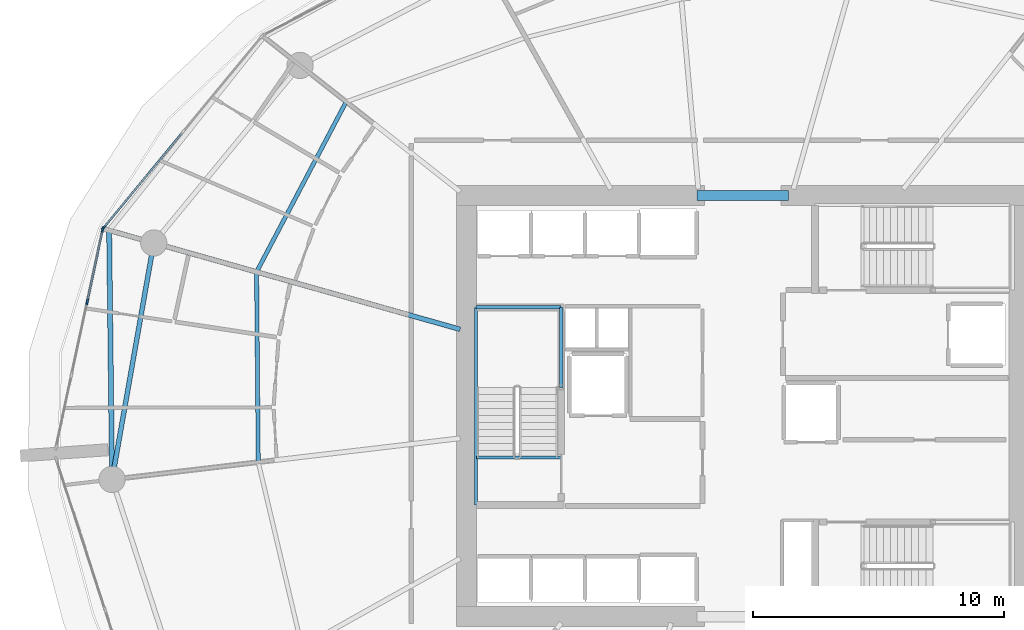
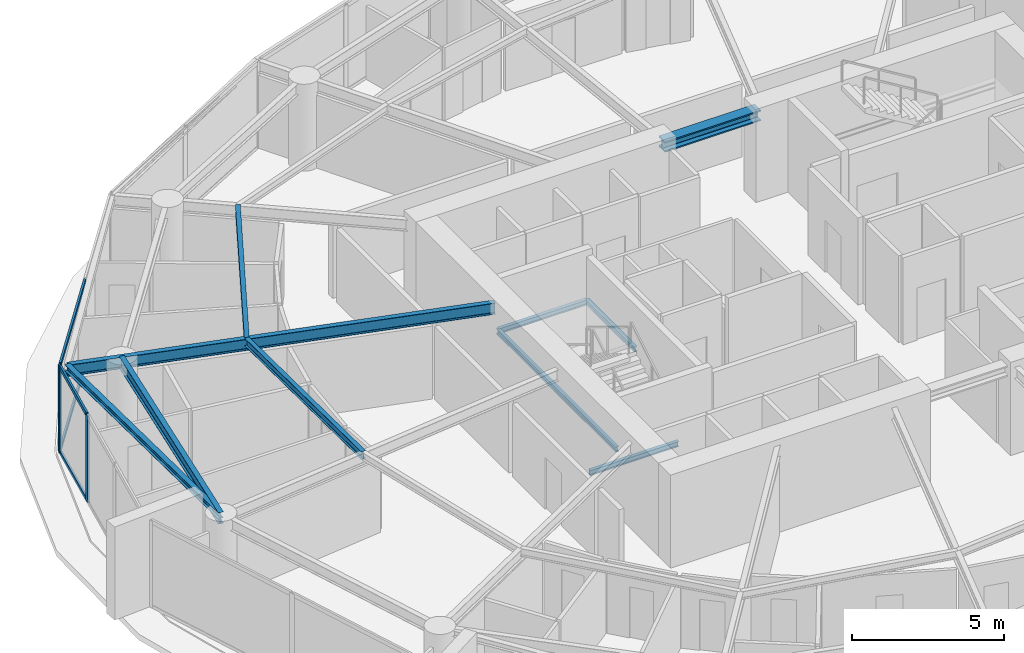
# One storey, part 6 of 17: 10 beams, 7 members, 2 elements without a shape of their own.
"""IFC4 building model written with IfcOpenShell, lengths in metres."""

from ifc_helpers import new_model, si_unit, direction, frame, origin, origin_2d, place, context, subcontext, project, spatial, rectangle, i_section, extrude, material, layer, layer_set, material_profile, profile_set, type_object, element, aggregate, save


model = new_model("IFC4")

# Units and contexts
model_context = context("Model", 3, precision=1e-05, world=origin(), true_north=direction((0.0, 1.0)))
body_context = subcontext(model_context, "Body", "Model", "MODEL_VIEW")
ifc_project = project(units=[si_unit("LENGTHUNIT", "METRE"), si_unit("AREAUNIT", "SQUARE_METRE"), si_unit("VOLUMEUNIT", "CUBIC_METRE"), si_unit("PLANEANGLEUNIT", "RADIAN"), si_unit("MASSUNIT", "GRAM", prefix="KILO")], contexts=[model_context])

# Site, building, storey
site_placement = place(None, origin())
site = spatial("IfcSite", under=ifc_project, at=site_placement, CompositionType="ELEMENT")
building_placement = place(site_placement, origin())
building = spatial("IfcBuilding", under=site, at=building_placement, Name="Kazma Halo Residences", CompositionType="ELEMENT")
storey_placement = place(building_placement, frame((0.0, 0.0, 127.800048828125)))
storey = spatial("IfcBuildingStorey", under=building, at=storey_placement, Name="L31", CompositionType="ELEMENT", Elevation=127.800048828125)

# Beams
ifc_material_1 = material(Name="Steel S355", Category="steel")
ifc_material_profile_1 = material_profile(ifc_material_1, i_section(OverallWidth=0.201904296875, OverallDepth=0.2470703125, WebThickness=0.00732421875, FlangeThickness=0.010986328125, FilletRadius=0.011962890625, at=origin_2d()), Name="W250x49.1")
ifc_profile_set_1 = profile_set([ifc_material_profile_1], Name="Steel S355")
beam_type_1 = type_object("IfcBeamType", Name="BM-BAL-CANT", PredefinedType="BEAM", material=ifc_profile_set_1)
beam_1_placement = place(storey_placement, frame((23.149658203125, 49.008544921875, 3.37646484375), z_axis=(0.011793371143, -0.99993045578, 0.0), x_axis=(0.99993045578, 0.011793371143, 0.0)))
element("IfcBeam", 1, at=beam_1_placement, inside=storey, type_object=beam_type_1, Name="L31 wave-balcony tie beam 07", PredefinedType="BEAM", context=body_context, shape_type="SweptSolid", body=[
    extrude(i_section(OverallWidth=0.201904296875, OverallDepth=0.2470703125, WebThickness=0.00732421875, FlangeThickness=0.010986328125, FilletRadius=0.011962890625, at=origin_2d()), origin(), (0.0, 0.0, 1.0), 9.936767578125),
])
ifc_material_profile_2 = material_profile(ifc_material_1, i_section(OverallWidth=0.408935546875, OverallDepth=0.425048828125, WebThickness=0.03271484375, FlangeThickness=0.052490234375, FilletRadius=0.02001953125, at=origin_2d()), Name="W360x421")
ifc_profile_set_2 = profile_set([ifc_material_profile_2], Name="Steel S355")
beam_type_2 = type_object("IfcBeamType", Name="BM-CORE-W360H", PredefinedType="BEAM", material=ifc_profile_set_2)
beam_2_placement = place(storey_placement, frame((46.60009765625, 50.39990234375, 3.287353515625), z_axis=(1.0, 0.0, 0.0), x_axis=(0.0, 1.0, 0.0)))
element("IfcBeam", 2, at=beam_2_placement, inside=storey, type_object=beam_type_2, Name="L31 core coupling beam N", PredefinedType="BEAM", context=body_context, shape_type="SweptSolid", body=[
    extrude(i_section(OverallWidth=0.408935546875, OverallDepth=0.425048828125, WebThickness=0.03271484375, FlangeThickness=0.052490234375, FilletRadius=0.02001953125, at=origin_2d()), origin(), (0.0, 0.0, 1.0), 3.64990234375),
])
ifc_material_profile_3 = material_profile(ifc_material_1, i_section(OverallWidth=0.18994140625, OverallDepth=0.45703125, WebThickness=0.009033203125, FlangeThickness=0.014404296875, FilletRadius=0.01611328125, at=origin_2d()), Name="W460x74")
ifc_profile_set_3 = profile_set([ifc_material_profile_3], Name="Steel S355")
beam_type_3 = type_object("IfcBeamType", Name="BM-RAD-W460", PredefinedType="BEAM", material=ifc_profile_set_3)
beam_3_placement = place(storey_placement, frame((37.14990234375, 45.06005859375, 3.271484375), z_axis=(-0.962455072712, 0.271441030447, 0.0), x_axis=(-0.271441030447, -0.962455072712, 0.0)))
element("IfcBeam", 3, at=beam_3_placement, inside=storey, type_object=beam_type_3, Name="L31 radial floor beam 07", PredefinedType="BEAM", context=body_context, shape_type="SweptSolid", body=[
    extrude(i_section(OverallWidth=0.18994140625, OverallDepth=0.45703125, WebThickness=0.009033203125, FlangeThickness=0.014404296875, FilletRadius=0.01611328125, at=origin_2d()), origin(), (0.0, 0.0, 1.0), 14.54638671875),
])
ifc_material_profile_4 = material_profile(ifc_material_1, i_section(OverallWidth=0.1650390625, OverallDepth=0.31005859375, WebThickness=0.005859375, FlangeThickness=0.009765625, FilletRadius=0.011962890625, at=origin_2d()), Name="W310x38.7")
ifc_profile_set_4 = profile_set([ifc_material_profile_4], Name="Steel S355")
beam_type_4 = type_object("IfcBeamType", Name="BM-SEC-W310B", PredefinedType="JOIST", material=ifc_profile_set_4)
beam_4_placement = place(storey_placement, frame((32.6044921875, 54.136962890625, 3.344970703125), z_axis=(-0.466019257875, -0.884774576539, 0.0), x_axis=(0.884774576539, -0.466019257875, 0.0)))
element("IfcBeam", 4, at=beam_4_placement, inside=storey, type_object=beam_type_4, Name="L31 circumferential floor joist 06", PredefinedType="JOIST", context=body_context, shape_type="SweptSolid", body=[
    extrude(i_section(OverallWidth=0.1650390625, OverallDepth=0.31005859375, WebThickness=0.005859375, FlangeThickness=0.009765625, FilletRadius=0.011962890625, at=origin_2d()), origin(), (0.0, 0.0, 1.0), 7.670654296875),
])
beam_5_placement = place(storey_placement, frame((29.02978515625, 47.35009765625, 3.344970703125), z_axis=(0.008944876706, -0.99995999379, 0.0), x_axis=(0.99995999379, 0.008944876706, 0.0)))
element("IfcBeam", 5, at=beam_5_placement, inside=storey, type_object=beam_type_4, Name="L31 circumferential floor joist 07", PredefinedType="JOIST", context=body_context, shape_type="SweptSolid", body=[
    extrude(i_section(OverallWidth=0.1650390625, OverallDepth=0.31005859375, WebThickness=0.005859375, FlangeThickness=0.009765625, FilletRadius=0.011962890625, at=origin_2d()), origin(), (0.0, 0.0, 1.0), 7.587646484375),
])
ifc_material_profile_5 = material_profile(ifc_material_1, i_section(OverallWidth=0.18994140625, OverallDepth=0.45703125, WebThickness=0.009033203125, FlangeThickness=0.014404296875, FilletRadius=0.01611328125, at=origin_2d()), Name="W460x74")
ifc_profile_set_5 = profile_set([ifc_material_profile_5], Name="Steel S355")
beam_type_5 = type_object("IfcBeamType", Name="BM-SPN-W460", PredefinedType="BEAM", material=ifc_profile_set_5)
beam_6_placement = place(storey_placement, frame((24.93017578125, 48.50634765625, 3.271484375), z_axis=(-0.173637033425, -0.984809717978, 0.0), x_axis=(0.984809717978, -0.173637033425, 0.0)))
element("IfcBeam", 6, at=beam_6_placement, inside=storey, type_object=beam_type_5, Name="L31 perimeter ring beam 07", PredefinedType="BEAM", context=body_context, shape_type="SweptSolid", body=[
    extrude(i_section(OverallWidth=0.18994140625, OverallDepth=0.45703125, WebThickness=0.009033203125, FlangeThickness=0.014404296875, FilletRadius=0.01611328125, at=origin_2d()), origin(), (0.0, 0.0, 1.0), 9.579345703125),
])
ifc_material_profile_6 = material_profile(ifc_material_1, i_section(OverallWidth=0.133056640625, OverallDepth=0.20703125, WebThickness=0.005859375, FlangeThickness=0.00830078125, FilletRadius=0.010009765625, at=origin_2d()), Name="W200x26.6")
ifc_profile_set_6 = profile_set([ifc_material_profile_6], Name="Steel S355")
beam_type_6 = type_object("IfcBeamType", Name="BM-TRIM-W200", PredefinedType="BEAM", material=ifc_profile_set_6)
beam_7_placement = place(storey_placement, frame((37.800048828125, 39.949951171875, -0.510009765625), z_axis=(1.0, 0.0, 0.0), x_axis=(0.0, 1.0, 0.0)))
element("IfcBeam", 7, at=beam_7_placement, inside=storey, type_object=beam_type_6, Name="L31 ST-01 floor landing support beam", PredefinedType="BEAM", context=body_context, shape_type="SweptSolid", body=[
    extrude(i_section(OverallWidth=0.133056640625, OverallDepth=0.20703125, WebThickness=0.005859375, FlangeThickness=0.00830078125, FilletRadius=0.010009765625, at=origin_2d()), origin(), (0.0, 0.0, 1.0), 3.3798828125),
])
beam_8_placement = place(storey_placement, frame((37.780029296875, 38.06005859375, 1.570068359375), z_axis=(0.0, 1.0, 0.0), x_axis=(-1.0, 0.0, 0.0)))
element("IfcBeam", 8, at=beam_8_placement, inside=storey, type_object=beam_type_6, Name="L31 ST-01 landing west wall ledger", PredefinedType="BEAM", context=body_context, shape_type="SweptSolid", body=[
    extrude(i_section(OverallWidth=0.133056640625, OverallDepth=0.20703125, WebThickness=0.005859375, FlangeThickness=0.00830078125, FilletRadius=0.010009765625, at=origin_2d()), origin(), (0.0, 0.0, 1.0), 7.8798828125),
])
beam_9_placement = place(storey_placement, frame((41.179931640625, 42.75, 1.570068359375), z_axis=(0.0, 1.0, 0.0), x_axis=(-1.0, 0.0, 0.0)))
element("IfcBeam", 9, at=beam_9_placement, inside=storey, type_object=beam_type_6, Name="L31 ST-01 landing east wall ledger", PredefinedType="BEAM", context=body_context, shape_type="SweptSolid", body=[
    extrude(i_section(OverallWidth=0.133056640625, OverallDepth=0.20703125, WebThickness=0.005859375, FlangeThickness=0.00830078125, FilletRadius=0.010009765625, at=origin_2d()), origin(), (0.0, 0.0, 1.0), 3.18994140625),
])
beam_10_placement = place(storey_placement, frame((37.780029296875, 45.93994140625, 1.570068359375), z_axis=(1.0, 0.0, 0.0), x_axis=(0.0, 1.0, 0.0)))
element("IfcBeam", 10, at=beam_10_placement, inside=storey, type_object=beam_type_6, Name="L31 ST-01 landing end wall ledger", PredefinedType="BEAM", context=body_context, shape_type="SweptSolid", body=[
    extrude(i_section(OverallWidth=0.133056640625, OverallDepth=0.20703125, WebThickness=0.005859375, FlangeThickness=0.00830078125, FilletRadius=0.010009765625, at=origin_2d()), origin(), (0.0, 0.0, 1.0), 3.39990234375),
])

# Curtain wall, member
ifc_material_2 = material(Name="Aluminium AW-6063 T6 and Triple-Silver Low-E Glass", Category="aluminium")
ifc_layer = layer(ifc_material_2, 0.219970703125)
ifc_layer_set = layer_set([ifc_layer], Name="Aluminium AW-6063 T6 and Triple-Silver Low-E Glass")
curtain_wall_type = type_object("IfcCurtainWallType", Name="CW-SYS-4", PredefinedType="NOTDEFINED", material=ifc_layer_set)
curtain_wall_1_placement = place(storey_placement, origin())
curtain_wall_1 = element("IfcCurtainWall", 11, at=curtain_wall_1_placement, inside=storey, type_object=curtain_wall_type, Name="L31 unitised curtain wall B06", PredefinedType="NOTDEFINED")
ifc_material_3 = material(Name="Aluminium AW-6063 T6", Category="aluminium")
ifc_material_profile_7 = material_profile(ifc_material_3, rectangle(XDim=0.074951171875, YDim=0.219970703125, at=origin_2d()), Name="CWM-75x220")
ifc_profile_set_7 = profile_set([ifc_material_profile_7], Name="Aluminium AW-6063 T6")
member_type_1 = type_object("IfcMemberType", Name="CW-SYS-4-MUL", PredefinedType="MULLION", material=ifc_profile_set_7)
member_1_placement = place(storey_placement, frame((22.926513671875, 49.107177734375, 0.0), z_axis=(0.0, 0.0, 1.0), x_axis=(0.771037030672, -0.636790308761, 0.0)))
member_1 = element("IfcMember", 12, at=member_1_placement, type_object=member_type_1, Name="CWS-4 mullion 3", PredefinedType="MULLION", context=body_context, shape_type="SweptSolid", body=[
    extrude(rectangle(XDim=0.074951171875, YDim=0.219970703125, at=origin_2d()), origin(), (0.0, 0.0, 1.0), 3.5),
])

# Curtain wall, members
curtain_wall_2_placement = place(storey_placement, origin())
curtain_wall_2 = element("IfcCurtainWall", 13, at=curtain_wall_2_placement, inside=storey, type_object=curtain_wall_type, Name="L31 unitised curtain wall B07", PredefinedType="NOTDEFINED")
member_2_placement = place(storey_placement, frame((22.894775390625, 49.04150390625, 0.0), z_axis=(0.0, 0.0, 1.0), x_axis=(0.977764957684, -0.209703809037, 0.0)))
member_2 = element("IfcMember", 14, at=member_2_placement, type_object=member_type_1, Name="CWS-4 mullion 1", PredefinedType="MULLION", context=body_context, shape_type="SweptSolid", body=[
    extrude(rectangle(XDim=0.074951171875, YDim=0.219970703125, at=origin_2d()), origin(), (0.0, 0.0, 1.0), 3.5),
])
member_3_placement = place(storey_placement, frame((22.27685546875, 46.160888671875, 0.0), z_axis=(0.0, 0.0, 1.0), x_axis=(0.977764957684, -0.209703809037, 0.0)))
member_3 = element("IfcMember", 15, at=member_3_placement, type_object=member_type_1, Name="CWS-4 mullion 2", PredefinedType="MULLION", context=body_context, shape_type="SweptSolid", body=[
    extrude(rectangle(XDim=0.074951171875, YDim=0.219970703125, at=origin_2d()), origin(), (0.0, 0.0, 1.0), 3.5),
])

# Member
ifc_material_profile_8 = material_profile(ifc_material_3, rectangle(XDim=0.074951171875, YDim=0.1650390625, at=origin_2d()), Name="CWT-75x165")
ifc_profile_set_8 = profile_set([ifc_material_profile_8], Name="Aluminium AW-6063 T6")
member_type_2 = type_object("IfcMemberType", Name="CW-SYS-4-TRN", PredefinedType="USERDEFINED", material=ifc_profile_set_8)
member_4_placement = place(storey_placement, frame((26.056884765625, 52.8974609375, 0.037353515625), z_axis=(-0.636776683324, -0.771048283556, 0.0), x_axis=(0.771048283556, -0.636776683324, 0.0)))
member_4 = element("IfcMember", 16, at=member_4_placement, type_object=member_type_2, Name="CWS-4 transom 2.1", ObjectType="TRANSOM", PredefinedType="USERDEFINED", context=body_context, shape_type="SweptSolid", body=[
    extrude(rectangle(XDim=0.074951171875, YDim=0.1650390625, at=origin_2d()), origin(), (0.0, 0.0, 1.0), 4.87841796875),
])

member_5_placement = place(storey_placement, frame((26.056884765625, 52.8974609375, 3.46240234375), z_axis=(-0.636776683324, -0.771048283556, 0.0), x_axis=(0.771048283556, -0.636776683324, 0.0)))
member_5 = element("IfcMember", 17, at=member_5_placement, type_object=member_type_2, Name="CWS-4 transom 2.2", ObjectType="TRANSOM", PredefinedType="USERDEFINED", context=body_context, shape_type="SweptSolid", body=[
    extrude(rectangle(XDim=0.074951171875, YDim=0.1650390625, at=origin_2d()), origin(), (0.0, 0.0, 1.0), 4.87841796875),
])

aggregate(curtain_wall_1, [member_1, member_4, member_5])

member_6_placement = place(storey_placement, frame((22.886962890625, 49.0048828125, 0.037353515625), z_axis=(-0.209703309269, -0.977765064871, 0.0), x_axis=(0.977765064871, -0.209703309269, 0.0)))
member_6 = element("IfcMember", 18, at=member_6_placement, type_object=member_type_2, Name="CWS-4 transom 1.1", ObjectType="TRANSOM", PredefinedType="USERDEFINED", context=body_context, shape_type="SweptSolid", body=[
    extrude(rectangle(XDim=0.074951171875, YDim=0.1650390625, at=origin_2d()), origin(), (0.0, 0.0, 1.0), 2.870849609375),
])

member_7_placement = place(storey_placement, frame((22.886962890625, 49.0048828125, 3.46240234375), z_axis=(-0.209703309269, -0.977765064871, 0.0), x_axis=(0.977765064871, -0.209703309269, 0.0)))
member_7 = element("IfcMember", 19, at=member_7_placement, type_object=member_type_2, Name="CWS-4 transom 1.2", ObjectType="TRANSOM", PredefinedType="USERDEFINED", context=body_context, shape_type="SweptSolid", body=[
    extrude(rectangle(XDim=0.074951171875, YDim=0.1650390625, at=origin_2d()), origin(), (0.0, 0.0, 1.0), 2.870849609375),
])

aggregate(curtain_wall_2, [member_2, member_3, member_6, member_7])

save(model, "model.ifc")
